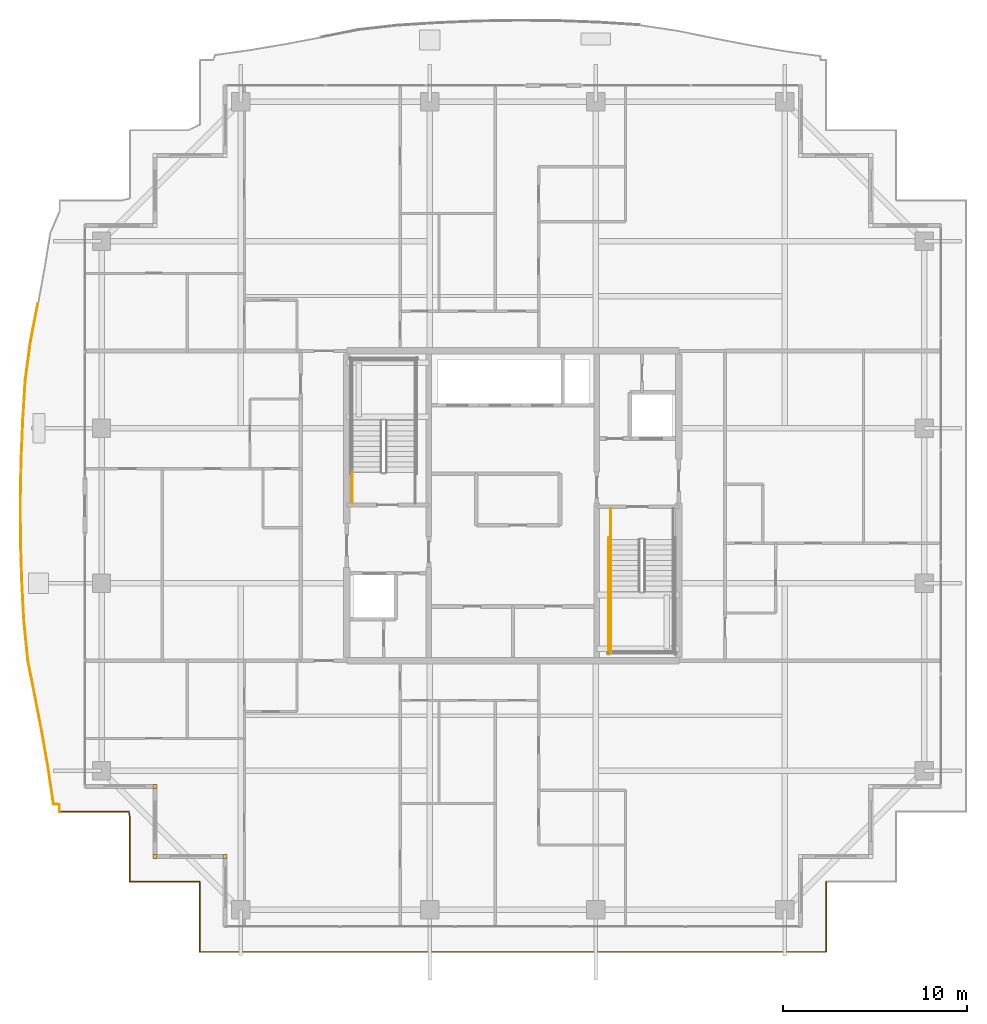
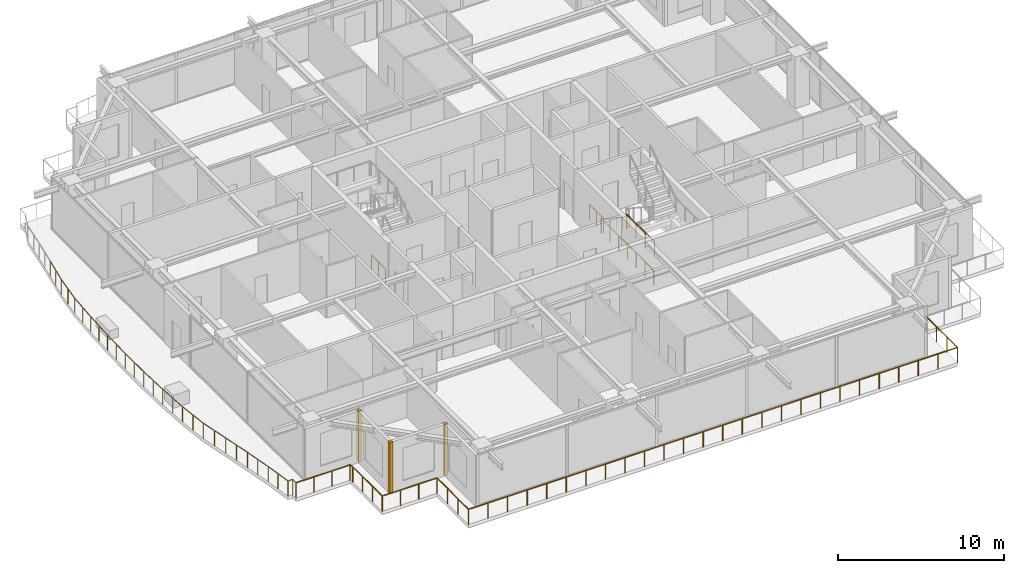
# One storey, part 33 of 37: 8 railings, 3 coverings.
"""IFC4 building model written with IfcOpenShell, lengths in metres."""

from ifc_helpers import new_model, si_unit, direction, frame, origin, origin_2d, place, context, subcontext, project, spatial, rectangle, circle, extrude, source, transform, mapped, material, layer, layer_set, type_object, element, save


model = new_model("IFC4")

# Units and contexts
model_context = context("Model", 3, precision=1e-05, world=origin(), true_north=direction((0.0, 1.0)))
body_context = subcontext(model_context, "Body", "Model", "MODEL_VIEW")
ifc_project = project(units=[si_unit("LENGTHUNIT", "METRE"), si_unit("AREAUNIT", "SQUARE_METRE"), si_unit("VOLUMEUNIT", "CUBIC_METRE"), si_unit("PLANEANGLEUNIT", "RADIAN"), si_unit("MASSUNIT", "GRAM", prefix="KILO")], contexts=[model_context])

# Site, building, storey
site_placement = place(None, origin())
site = spatial("IfcSite", under=ifc_project, at=site_placement, CompositionType="ELEMENT")
building_placement = place(site_placement, origin())
building = spatial("IfcBuilding", under=site, at=building_placement, Name="Serunith Strait Residences", CompositionType="ELEMENT")
storey_placement = place(building_placement, frame((0.0, 0.0, 317.75)))
storey = spatial("IfcBuildingStorey", under=building, at=storey_placement, Name="L79", CompositionType="ELEMENT", Elevation=317.75)

# Railings
ifc_material_1 = material(Name="Stainless Steel & Laminated Glass Balustrade", Category="steel")
railing_type_1 = type_object("IfcRailingType", Name="RLG-BALC-1150", PredefinedType="BALUSTRADE", material=ifc_material_1)
railing_1_placement = place(storey_placement, frame((7.820068359375, 8.6201171875, -0.050048828125)))
element("IfcRailing", 1, at=railing_1_placement, inside=storey, type_object=railing_type_1, Name="L79 Swirling Balcony Perimeter Balustrade 1", PredefinedType="BALUSTRADE", context=body_context, shape_type="SweptSolid", body=[
    extrude(circle(Radius=0.02392578125, at=origin_2d()), frame((0.0, 0.001953125, 1.1259765625), z_axis=(0.0, 1.0, 0.0), x_axis=(-1.0, 0.0, 0.0)), (0.0, 0.0, 1.0), 0.387451171875),
    extrude(circle(Radius=0.02392578125, at=origin_2d()), frame((-0.001953125, 0.391357421875, 1.1259765625), z_axis=(-0.998263805983, 0.058901389319, 0.0), x_axis=(-0.058901389319, -0.998263805983, 0.0)), (0.0, 0.0, 1.0), 0.315185546875),
    extrude(circle(Radius=0.02392578125, at=origin_2d()), frame((-0.31884765625, 0.412109375, 1.1259765625), z_axis=(-0.145391452928, 0.98937420899, 0.0), x_axis=(-0.98937420899, -0.145391452928, 0.0)), (0.0, 0.0, 1.0), 1.915283203125),
    extrude(circle(Radius=0.02392578125, at=origin_2d()), frame((-0.597900390625, 2.31103515625, 1.1259765625), z_axis=(-0.1712670974, 0.985224634968, 0.0), x_axis=(-0.985224634968, -0.1712670974, 0.0)), (0.0, 0.0, 1.0), 1.943115234375),
    extrude(circle(Radius=0.02392578125, at=origin_2d()), frame((-0.931640625, 4.2294921875, 1.1259765625), z_axis=(-0.189583684965, 0.981864566218, 0.0), x_axis=(-0.981864566218, -0.189583684965, 0.0)), (0.0, 0.0, 1.0), 1.98828125),
    extrude(circle(Radius=0.02392578125, at=origin_2d()), frame((-1.309326171875, 6.185546875, 1.1259765625), z_axis=(-0.194055182287, 0.98099061475, 0.0), x_axis=(-0.98099061475, -0.194055182287, 0.0)), (0.0, 0.0, 1.0), 2.046630859375),
    extrude(circle(Radius=0.02392578125, at=origin_2d()), frame((-1.70703125, 8.197265625, 1.1259765625), z_axis=(-0.100546798544, 0.994932330012, 0.0), x_axis=(-0.994932330012, -0.100546798544, 0.0)), (0.0, 0.0, 1.0), 2.1279296875),
    extrude(circle(Radius=0.02392578125, at=origin_2d()), frame((-1.921142578125, 10.318359375, 1.1259765625), z_axis=(-0.053554695937, 0.998564917541, 0.0), x_axis=(-0.998564917541, -0.053554695937, 0.0)), (0.0, 0.0, 1.0), 2.17041015625),
    extrude(circle(Radius=0.02099609375, at=origin_2d()), origin(), (0.0, 0.0, 1.0), 1.099853515625),
    extrude(circle(Radius=0.02099609375, at=origin_2d()), frame((0.0, 0.391357421875, 0.0)), (0.0, 0.0, 1.0), 1.099853515625),
    extrude(circle(Radius=0.02099609375, at=origin_2d()), frame((-0.318603515625, 0.41015625, 0.0)), (0.0, 0.0, 1.0), 1.099853515625),
    extrude(circle(Radius=0.02099609375, at=origin_2d()), frame((-0.4580078125, 1.359619140625, 0.0)), (0.0, 0.0, 1.0), 1.099853515625),
    extrude(circle(Radius=0.02099609375, at=origin_2d()), frame((-0.59765625, 2.30908203125, 0.0)), (0.0, 0.0, 1.0), 1.099853515625),
    extrude(circle(Radius=0.02099609375, at=origin_2d()), frame((-0.764404296875, 3.268310546875, 0.0)), (0.0, 0.0, 1.0), 1.099853515625),
    extrude(circle(Radius=0.02099609375, at=origin_2d()), frame((-0.93115234375, 4.2275390625, 0.0)), (0.0, 0.0, 1.0), 1.099853515625),
    extrude(circle(Radius=0.02099609375, at=origin_2d()), frame((-1.1201171875, 5.20556640625, 0.0)), (0.0, 0.0, 1.0), 1.099853515625),
    extrude(circle(Radius=0.02099609375, at=origin_2d()), frame((-1.308837890625, 6.18359375, 0.0)), (0.0, 0.0, 1.0), 1.099853515625),
    extrude(circle(Radius=0.02099609375, at=origin_2d()), frame((-1.5078125, 7.189453125, 0.0)), (0.0, 0.0, 1.0), 1.099853515625),
    extrude(circle(Radius=0.02099609375, at=origin_2d()), frame((-1.706787109375, 8.1953125, 0.0)), (0.0, 0.0, 1.0), 1.099853515625),
    extrude(circle(Radius=0.02099609375, at=origin_2d()), frame((-1.81396484375, 9.255859375, 0.0)), (0.0, 0.0, 1.0), 1.099853515625),
    extrude(circle(Radius=0.02099609375, at=origin_2d()), frame((-1.921142578125, 10.31640625, 0.0)), (0.0, 0.0, 1.0), 1.099853515625),
    extrude(circle(Radius=0.02099609375, at=origin_2d()), frame((-1.9794921875, 11.402099609375, 0.0)), (0.0, 0.0, 1.0), 1.099853515625),
    extrude(circle(Radius=0.02099609375, at=origin_2d()), frame((-2.03759765625, 12.48779296875, 0.0)), (0.0, 0.0, 1.0), 1.099853515625),
])
railing_2_placement = place(storey_placement, frame((5.782470703125, 21.10791015625, -0.050048828125)))
element("IfcRailing", 2, at=railing_2_placement, inside=storey, type_object=railing_type_1, Name="L79 Swirling Balcony Perimeter Balustrade 2", PredefinedType="BALUSTRADE", context=body_context, shape_type="SweptSolid", body=[
    extrude(circle(Radius=0.02392578125, at=origin_2d()), frame((0.0, 0.001953125, 1.1259765625), z_axis=(-0.030137616895, 0.999545758856, 0.0), x_axis=(-0.999545758856, -0.030137616895, 0.0)), (0.0, 0.0, 1.0), 2.19140625),
    extrude(circle(Radius=0.02392578125, at=origin_2d()), frame((-0.066162109375, 2.1962890625, 1.1259765625), z_axis=(-0.005204802146, 0.999986454926, 0.0), x_axis=(-0.999986454926, -0.005204802146, 0.0)), (0.0, 0.0, 1.0), 2.20068359375),
    extrude(circle(Radius=0.02392578125, at=origin_2d()), frame((-0.07763671875, 4.40087890625, 1.1259765625), z_axis=(0.01929329188, 0.999813867121, 0.0), x_axis=(-0.999813867121, 0.01929329188, 0.0)), (0.0, 0.0, 1.0), 2.19775390625),
    extrude(circle(Radius=0.02392578125, at=origin_2d()), frame((-0.03515625, 6.602294921875, 1.1259765625), z_axis=(0.041960108549, 0.999119286817, 0.0), x_axis=(-0.999119286817, 0.041960108549, 0.0)), (0.0, 0.0, 1.0), 2.183837890625),
    extrude(circle(Radius=0.02392578125, at=origin_2d()), frame((0.056884765625, 8.7880859375, 1.1259765625), z_axis=(0.062062154612, 0.998072286443, 0.0), x_axis=(-0.998072286443, 0.062062154612, 0.0)), (0.0, 0.0, 1.0), 2.15966796875),
    extrude(circle(Radius=0.02392578125, at=origin_2d()), frame((0.191162109375, 10.947509765625, 1.1259765625), z_axis=(0.134031760199, 0.990977036696, 0.0), x_axis=(-0.990977036696, 0.134031760199, 0.0)), (0.0, 0.0, 1.0), 2.1015625),
    extrude(circle(Radius=0.02392578125, at=origin_2d()), frame((0.4736328125, 13.0341796875, 1.1259765625), z_axis=(0.190985398383, 0.981592877727, 0.0), x_axis=(-0.981592877727, 0.190985398383, 0.0)), (0.0, 0.0, 1.0), 2.028564453125),
    extrude(circle(Radius=0.02099609375, at=origin_2d()), origin(), (0.0, 0.0, 1.0), 1.099853515625),
    extrude(circle(Radius=0.02099609375, at=origin_2d()), frame((-0.033203125, 1.09716796875, 0.0)), (0.0, 0.0, 1.0), 1.099853515625),
    extrude(circle(Radius=0.02099609375, at=origin_2d()), frame((-0.066162109375, 2.1943359375, 0.0)), (0.0, 0.0, 1.0), 1.099853515625),
    extrude(circle(Radius=0.02099609375, at=origin_2d()), frame((-0.07177734375, 3.296630859375, 0.0)), (0.0, 0.0, 1.0), 1.099853515625),
    extrude(circle(Radius=0.02099609375, at=origin_2d()), frame((-0.07763671875, 4.39892578125, 0.0)), (0.0, 0.0, 1.0), 1.099853515625),
    extrude(circle(Radius=0.02099609375, at=origin_2d()), frame((-0.056396484375, 5.49951171875, 0.0)), (0.0, 0.0, 1.0), 1.099853515625),
    extrude(circle(Radius=0.02099609375, at=origin_2d()), frame((-0.03515625, 6.600341796875, 0.0)), (0.0, 0.0, 1.0), 1.099853515625),
    extrude(circle(Radius=0.02099609375, at=origin_2d()), frame((0.0107421875, 7.693359375, 0.0)), (0.0, 0.0, 1.0), 1.099853515625),
    extrude(circle(Radius=0.02099609375, at=origin_2d()), frame((0.056640625, 8.7861328125, 0.0)), (0.0, 0.0, 1.0), 1.099853515625),
    extrude(circle(Radius=0.02099609375, at=origin_2d()), frame((0.123779296875, 9.86572265625, 0.0)), (0.0, 0.0, 1.0), 1.099853515625),
    extrude(circle(Radius=0.02099609375, at=origin_2d()), frame((0.19091796875, 10.945556640625, 0.0)), (0.0, 0.0, 1.0), 1.099853515625),
    extrude(circle(Radius=0.02099609375, at=origin_2d()), frame((0.33203125, 11.98876953125, 0.0)), (0.0, 0.0, 1.0), 1.099853515625),
    extrude(circle(Radius=0.02099609375, at=origin_2d()), frame((0.47314453125, 13.0322265625, 0.0)), (0.0, 0.0, 1.0), 1.099853515625),
    extrude(circle(Radius=0.02099609375, at=origin_2d()), frame((0.667236328125, 14.02978515625, 0.0)), (0.0, 0.0, 1.0), 1.099853515625),
    extrude(circle(Radius=0.02099609375, at=origin_2d()), frame((0.861328125, 15.02734375, 0.0)), (0.0, 0.0, 1.0), 1.099853515625),
])
railing_3_placement = place(storey_placement, frame((49.392578125, 4.820068359375, -0.050048828125)))
element("IfcRailing", 3, at=railing_3_placement, inside=storey, type_object=railing_type_1, Name="L79 Swirling Balcony Perimeter Balustrade 8", PredefinedType="BALUSTRADE", context=body_context, shape_type="SweptSolid", body=[
    extrude(circle(Radius=0.02392578125, at=origin_2d()), frame((-0.0126953125, -0.0068359375, 1.1259765625), z_axis=(0.0, -1.0, 0.0), x_axis=(1.0, 0.0, 0.0)), (0.0, 0.0, 1.0), 3.791259765625),
    extrude(circle(Radius=0.02392578125, at=origin_2d()), frame((-0.0146484375, -3.800048828125, 1.1259765625), z_axis=(-1.0, 0.0, 0.0), x_axis=(0.0, -1.0, 0.0)), (0.0, 0.0, 1.0), 33.9560546875),
    extrude(circle(Radius=0.02392578125, at=origin_2d()), frame((-33.97265625, -3.798095703125, 1.1259765625), z_axis=(0.0, 1.0, 0.0), x_axis=(-1.0, 0.0, 0.0)), (0.0, 0.0, 1.0), 3.796142578125),
    extrude(circle(Radius=0.02392578125, at=origin_2d()), frame((-33.974609375, 0.0, 1.1259765625), z_axis=(-1.0, 0.0, 0.0), x_axis=(0.0, -1.0, 0.0)), (0.0, 0.0, 1.0), 3.7958984375),
    extrude(circle(Radius=0.02392578125, at=origin_2d()), frame((-37.7724609375, 0.001953125, 1.1259765625), z_axis=(0.0, 1.0, 0.0), x_axis=(-1.0, 0.0, 0.0)), (0.0, 0.0, 1.0), 3.555908203125),
    extrude(circle(Radius=0.02392578125, at=origin_2d()), frame((-37.772705078125, 3.561767578125, 1.1259765625), z_axis=(-0.153641641358, 0.988126634618, 0.0), x_axis=(-0.988126634618, -0.153641641358, 0.0)), (0.0, 0.0, 1.0), 0.239013671875),
    extrude(circle(Radius=0.02392578125, at=origin_2d()), frame((-37.811767578125, 3.800048828125, 1.1259765625), z_axis=(-1.0, 0.0, 0.0), x_axis=(0.0, -1.0, 0.0)), (0.0, 0.0, 1.0), 3.7587890625),
    extrude(circle(Radius=0.02099609375, at=origin_2d()), frame((-0.0126953125, -0.0048828125, 0.0)), (0.0, 0.0, 1.0), 1.099853515625),
    extrude(circle(Radius=0.02099609375, at=origin_2d()), frame((-0.0126953125, -1.27001953125, 0.0)), (0.0, 0.0, 1.0), 1.099853515625),
    extrude(circle(Radius=0.02099609375, at=origin_2d()), frame((-0.0126953125, -2.534912109375, 0.0)), (0.0, 0.0, 1.0), 1.099853515625),
    extrude(circle(Radius=0.02099609375, at=origin_2d()), frame((-0.0126953125, -3.800048828125, 0.0)), (0.0, 0.0, 1.0), 1.099853515625),
    extrude(circle(Radius=0.02099609375, at=origin_2d()), frame((-1.37109375, -3.800048828125, 0.0)), (0.0, 0.0, 1.0), 1.099853515625),
    extrude(circle(Radius=0.02099609375, at=origin_2d()), frame((-2.7294921875, -3.800048828125, 0.0)), (0.0, 0.0, 1.0), 1.099853515625),
    extrude(circle(Radius=0.02099609375, at=origin_2d()), frame((-4.087890625, -3.800048828125, 0.0)), (0.0, 0.0, 1.0), 1.099853515625),
    extrude(circle(Radius=0.02099609375, at=origin_2d()), frame((-5.4462890625, -3.800048828125, 0.0)), (0.0, 0.0, 1.0), 1.099853515625),
    extrude(circle(Radius=0.02099609375, at=origin_2d()), frame((-6.8046875, -3.800048828125, 0.0)), (0.0, 0.0, 1.0), 1.099853515625),
    extrude(circle(Radius=0.02099609375, at=origin_2d()), frame((-8.1630859375, -3.800048828125, 0.0)), (0.0, 0.0, 1.0), 1.099853515625),
    extrude(circle(Radius=0.02099609375, at=origin_2d()), frame((-9.521484375, -3.800048828125, 0.0)), (0.0, 0.0, 1.0), 1.099853515625),
    extrude(circle(Radius=0.02099609375, at=origin_2d()), frame((-10.8798828125, -3.800048828125, 0.0)), (0.0, 0.0, 1.0), 1.099853515625),
    extrude(circle(Radius=0.02099609375, at=origin_2d()), frame((-12.23828125, -3.800048828125, 0.0)), (0.0, 0.0, 1.0), 1.099853515625),
    extrude(circle(Radius=0.02099609375, at=origin_2d()), frame((-13.5966796875, -3.800048828125, 0.0)), (0.0, 0.0, 1.0), 1.099853515625),
    extrude(circle(Radius=0.02099609375, at=origin_2d()), frame((-14.955078125, -3.800048828125, 0.0)), (0.0, 0.0, 1.0), 1.099853515625),
    extrude(circle(Radius=0.02099609375, at=origin_2d()), frame((-16.3134765625, -3.800048828125, 0.0)), (0.0, 0.0, 1.0), 1.099853515625),
    extrude(circle(Radius=0.02099609375, at=origin_2d()), frame((-17.671875, -3.800048828125, 0.0)), (0.0, 0.0, 1.0), 1.099853515625),
    extrude(circle(Radius=0.02099609375, at=origin_2d()), frame((-19.0302734375, -3.800048828125, 0.0)), (0.0, 0.0, 1.0), 1.099853515625),
    extrude(circle(Radius=0.02099609375, at=origin_2d()), frame((-20.388671875, -3.800048828125, 0.0)), (0.0, 0.0, 1.0), 1.099853515625),
    extrude(circle(Radius=0.02099609375, at=origin_2d()), frame((-21.7470703125, -3.800048828125, 0.0)), (0.0, 0.0, 1.0), 1.099853515625),
    extrude(circle(Radius=0.02099609375, at=origin_2d()), frame((-23.10546875, -3.800048828125, 0.0)), (0.0, 0.0, 1.0), 1.099853515625),
    extrude(circle(Radius=0.02099609375, at=origin_2d()), frame((-24.4638671875, -3.800048828125, 0.0)), (0.0, 0.0, 1.0), 1.099853515625),
    extrude(circle(Radius=0.02099609375, at=origin_2d()), frame((-25.822265625, -3.800048828125, 0.0)), (0.0, 0.0, 1.0), 1.099853515625),
    extrude(circle(Radius=0.02099609375, at=origin_2d()), frame((-27.1806640625, -3.800048828125, 0.0)), (0.0, 0.0, 1.0), 1.099853515625),
    extrude(circle(Radius=0.02099609375, at=origin_2d()), frame((-28.5390625, -3.800048828125, 0.0)), (0.0, 0.0, 1.0), 1.099853515625),
    extrude(circle(Radius=0.02099609375, at=origin_2d()), frame((-29.8974609375, -3.800048828125, 0.0)), (0.0, 0.0, 1.0), 1.099853515625),
    extrude(circle(Radius=0.02099609375, at=origin_2d()), frame((-31.255859375, -3.800048828125, 0.0)), (0.0, 0.0, 1.0), 1.099853515625),
    extrude(circle(Radius=0.02099609375, at=origin_2d()), frame((-32.6142578125, -3.800048828125, 0.0)), (0.0, 0.0, 1.0), 1.099853515625),
    extrude(circle(Radius=0.02099609375, at=origin_2d()), frame((-33.97265625, -3.800048828125, 0.0)), (0.0, 0.0, 1.0), 1.099853515625),
    extrude(circle(Radius=0.02099609375, at=origin_2d()), frame((-33.97265625, -2.533447265625, 0.0)), (0.0, 0.0, 1.0), 1.099853515625),
    extrude(circle(Radius=0.02099609375, at=origin_2d()), frame((-33.97265625, -1.2666015625, 0.0)), (0.0, 0.0, 1.0), 1.099853515625),
    extrude(circle(Radius=0.02099609375, at=origin_2d()), frame((-33.97265625, 0.0, 0.0)), (0.0, 0.0, 1.0), 1.099853515625),
    extrude(circle(Radius=0.02099609375, at=origin_2d()), frame((-35.2392578125, 0.0, 0.0)), (0.0, 0.0, 1.0), 1.099853515625),
    extrude(circle(Radius=0.02099609375, at=origin_2d()), frame((-36.505859375, 0.0, 0.0)), (0.0, 0.0, 1.0), 1.099853515625),
    extrude(circle(Radius=0.02099609375, at=origin_2d()), frame((-37.7724609375, 0.0, 0.0)), (0.0, 0.0, 1.0), 1.099853515625),
    extrude(circle(Radius=0.02099609375, at=origin_2d()), frame((-37.7724609375, 1.1865234375, 0.0)), (0.0, 0.0, 1.0), 1.099853515625),
    extrude(circle(Radius=0.02099609375, at=origin_2d()), frame((-37.7724609375, 2.373291015625, 0.0)), (0.0, 0.0, 1.0), 1.099853515625),
    extrude(circle(Radius=0.02099609375, at=origin_2d()), frame((-37.7724609375, 3.559814453125, 0.0)), (0.0, 0.0, 1.0), 1.099853515625),
    extrude(circle(Radius=0.02099609375, at=origin_2d()), frame((-37.809814453125, 3.800048828125, 0.0)), (0.0, 0.0, 1.0), 1.099853515625),
    extrude(circle(Radius=0.02099609375, at=origin_2d()), frame((-39.06396484375, 3.800048828125, 0.0)), (0.0, 0.0, 1.0), 1.099853515625),
    extrude(circle(Radius=0.02099609375, at=origin_2d()), frame((-40.318359375, 3.800048828125, 0.0)), (0.0, 0.0, 1.0), 1.099853515625),
    extrude(circle(Radius=0.02099609375, at=origin_2d()), frame((-41.572509765625, 3.800048828125, 0.0)), (0.0, 0.0, 1.0), 1.099853515625),
])
ifc_material_2 = material(Name="Brushed stainless steel 316L", Category="steel")
railing_type_2 = type_object("IfcRailingType", Name="RLG-STAIR-GUARD", PredefinedType="BALUSTRADE", material=ifc_material_2)
railing_4_placement = place(storey_placement, frame((23.699951171875, 25.35009765625, 0.0)))
element("IfcRailing", 4, at=railing_4_placement, inside=storey, type_object=railing_type_2, Name="L79 ST-1 stair guard 9", PredefinedType="BALUSTRADE", context=body_context, shape_type="SweptSolid", body=[
    extrude(circle(Radius=0.02392578125, at=origin_2d()), frame((0.0, 0.001953125, 1.076171875), z_axis=(0.0, 1.0, 0.0), x_axis=(-1.0, 0.0, 0.0)), (0.0, 0.0, 1.0), 1.676025390625),
    extrude(circle(Radius=0.02099609375, at=origin_2d()), origin(), (0.0, 0.0, 1.0), 1.050048828125),
    extrude(circle(Radius=0.02099609375, at=origin_2d()), frame((0.0, 0.83984375, 0.0)), (0.0, 0.0, 1.0), 1.050048828125),
    extrude(circle(Radius=0.02099609375, at=origin_2d()), frame((0.0, 1.679931640625, 0.0)), (0.0, 0.0, 1.0), 1.050048828125),
])
railing_5_placement = place(storey_placement, frame((37.699951171875, 20.570068359375, 2.02490234375)))
element("IfcRailing", 5, at=railing_5_placement, inside=storey, type_object=railing_type_2, Name="L79 ST-2 stair guard 3", PredefinedType="BALUSTRADE", context=body_context, shape_type="SweptSolid", body=[
    extrude(circle(Radius=0.02392578125, at=origin_2d()), frame((0.0, -0.001953125, 1.076171875), z_axis=(0.0, -1.0, 0.0), x_axis=(1.0, 0.0, 0.0)), (0.0, 0.0, 1.0), 3.316162109375),
    extrude(circle(Radius=0.02099609375, at=origin_2d()), origin(), (0.0, 0.0, 1.0), 1.050048828125),
    extrude(circle(Radius=0.02099609375, at=origin_2d()), frame((0.0, -1.106689453125, 0.0)), (0.0, 0.0, 1.0), 1.050048828125),
    extrude(circle(Radius=0.02099609375, at=origin_2d()), frame((0.0, -2.21337890625, 0.0)), (0.0, 0.0, 1.0), 1.050048828125),
    extrude(circle(Radius=0.02099609375, at=origin_2d()), frame((0.0, -3.320068359375, 0.0)), (0.0, 0.0, 1.0), 1.050048828125),
])
railing_6_placement = place(storey_placement, frame((37.699951171875, 25.050048828125, 0.0)))
element("IfcRailing", 6, at=railing_6_placement, inside=storey, type_object=railing_type_2, Name="L79 ST-2 stair guard 8", PredefinedType="BALUSTRADE", context=body_context, shape_type="SweptSolid", body=[
    extrude(circle(Radius=0.02392578125, at=origin_2d()), frame((0.0, -0.001953125, 1.076171875), z_axis=(0.0, -1.0, 0.0), x_axis=(1.0, 0.0, 0.0)), (0.0, 0.0, 1.0), 1.676025390625),
    extrude(circle(Radius=0.02099609375, at=origin_2d()), origin(), (0.0, 0.0, 1.0), 1.050048828125),
    extrude(circle(Radius=0.02099609375, at=origin_2d()), frame((0.0, -0.83984375, 0.0)), (0.0, 0.0, 1.0), 1.050048828125),
    extrude(circle(Radius=0.02099609375, at=origin_2d()), frame((0.0, -1.679931640625, 0.0)), (0.0, 0.0, 1.0), 1.050048828125),
])
railing_7_placement = place(storey_placement, frame((37.60009765625, 23.469970703125, 0.0)))
element("IfcRailing", 7, at=railing_7_placement, inside=storey, type_object=railing_type_2, Name="L79 ST-2 stair guard 10", PredefinedType="BALUSTRADE", context=body_context, shape_type="SweptSolid", body=[
    extrude(circle(Radius=0.02392578125, at=origin_2d()), frame((0.0, -0.001953125, 1.076171875), z_axis=(0.0, -1.0, 0.0), x_axis=(1.0, 0.0, 0.0)), (0.0, 0.0, 1.0), 6.316162109375),
    extrude(circle(Radius=0.02099609375, at=origin_2d()), origin(), (0.0, 0.0, 1.0), 1.050048828125),
    extrude(circle(Radius=0.02099609375, at=origin_2d()), frame((0.0, -1.05322265625, 0.0)), (0.0, 0.0, 1.0), 1.050048828125),
    extrude(circle(Radius=0.02099609375, at=origin_2d()), frame((0.0, -2.106689453125, 0.0)), (0.0, 0.0, 1.0), 1.050048828125),
    extrude(circle(Radius=0.02099609375, at=origin_2d()), frame((0.0, -3.16015625, 0.0)), (0.0, 0.0, 1.0), 1.050048828125),
    extrude(circle(Radius=0.02099609375, at=origin_2d()), frame((0.0, -4.21337890625, 0.0)), (0.0, 0.0, 1.0), 1.050048828125),
    extrude(circle(Radius=0.02099609375, at=origin_2d()), frame((0.0, -5.2666015625, 0.0)), (0.0, 0.0, 1.0), 1.050048828125),
    extrude(circle(Radius=0.02099609375, at=origin_2d()), frame((0.0, -6.320068359375, 0.0)), (0.0, 0.0, 1.0), 1.050048828125),
])
railing_type_3 = type_object("IfcRailingType", Name="RLG-STAIR-HR", PredefinedType="HANDRAIL", material=ifc_material_2)
railing_8_placement = place(storey_placement, frame((37.699951171875, 23.3701171875, 0.18408203125)))
element("IfcRailing", 8, at=railing_8_placement, inside=storey, type_object=railing_type_3, Name="L79 ST-2 stair handrail 1", PredefinedType="HANDRAIL", context=body_context, shape_type="SweptSolid", body=[
    extrude(circle(Radius=0.02392578125, at=origin_2d()), frame((0.0, -0.001708984375, 0.876953125), z_axis=(0.0, -0.83496096917, 0.550309167616), x_axis=(1.0, 0.0, 0.0)), (0.0, 0.0, 1.0), 3.684814453125),
    extrude(circle(Radius=0.02099609375, at=origin_2d()), origin(), (0.0, 0.0, 1.0), 0.849853515625),
    extrude(circle(Radius=0.02099609375, at=origin_2d()), frame((0.0, -0.77001953125, 0.507568359375)), (0.0, 0.0, 1.0), 0.849853515625),
    extrude(circle(Radius=0.02099609375, at=origin_2d()), frame((0.0, -1.5400390625, 1.01513671875)), (0.0, 0.0, 1.0), 0.849853515625),
    extrude(circle(Radius=0.02099609375, at=origin_2d()), frame((0.0, -2.31005859375, 1.5224609375)), (0.0, 0.0, 1.0), 0.849853515625),
    extrude(circle(Radius=0.02099609375, at=origin_2d()), frame((0.0, -3.080078125, 2.030029296875)), (0.0, 0.0, 1.0), 0.849853515625),
])

# Coverings
ifc_material_3 = material(Name="Pale-Champagne Anodised Aluminium", Category="aluminium")
ifc_layer = layer(ifc_material_3, 0.219970703125, Name="Pale-Champagne Anodised Aluminium")
ifc_layer_set = layer_set([ifc_layer], Name="Pale-Champagne Anodised Aluminium")
covering_type = type_object("IfcCoveringType", Name="COV-CORN-TRIM", PredefinedType="CLADDING", material=ifc_layer_set)
shared_shape = source(origin(), body_context, "Body", "SweptSolid", [
    extrude(rectangle(XDim=0.221923828125, YDim=0.221923828125, at=origin_2d()), origin(), (0.0, 0.0, 1.0), 3.77490234375),
])
for number, where, z_axis, x_axis, name in (
    (9, (13.0, 10.0, 0.0), (0.0, 0.0, 1.0), (1.0, 0.0, 0.0), "L79 Girih Serrated Corner Trim Post 17"),
    (10, (13.0, 6.199951171875, 0.0), (0.0, 0.0, 1.0), (1.0, 0.0, 0.0), "L79 Girih Serrated Corner Trim Post 18"),
    (11, (16.800048828125, 6.199951171875, 0.0), (0.0, 0.0, 1.0), (1.0, 0.0, 0.0), "L79 Girih Serrated Corner Trim Post 19"),
):
    element("IfcCovering", number, at=place(storey_placement, frame(where, z_axis=z_axis, x_axis=x_axis)), inside=storey, type_object=covering_type, Name=name, PredefinedType="CLADDING", context=body_context, shape_type="MappedRepresentation", body=[
        mapped(shared_shape, transform((0.0, 0.0, 0.0), scale=1.0)),
    ])

save(model, "model.ifc")
